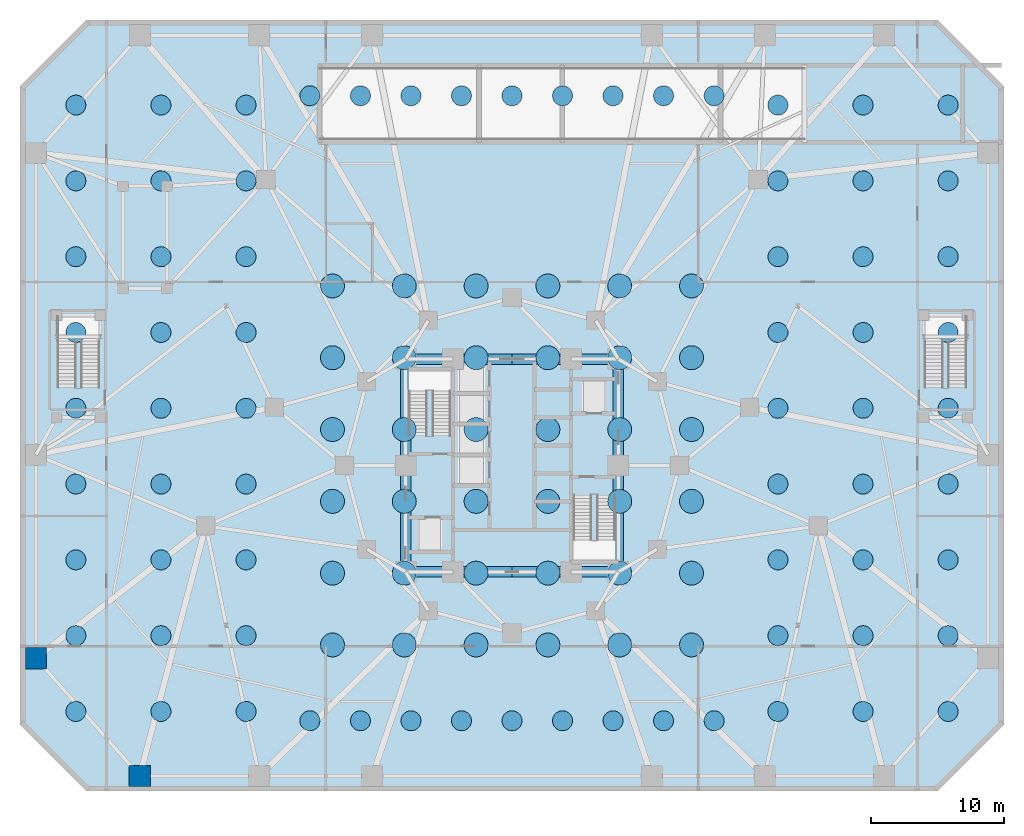
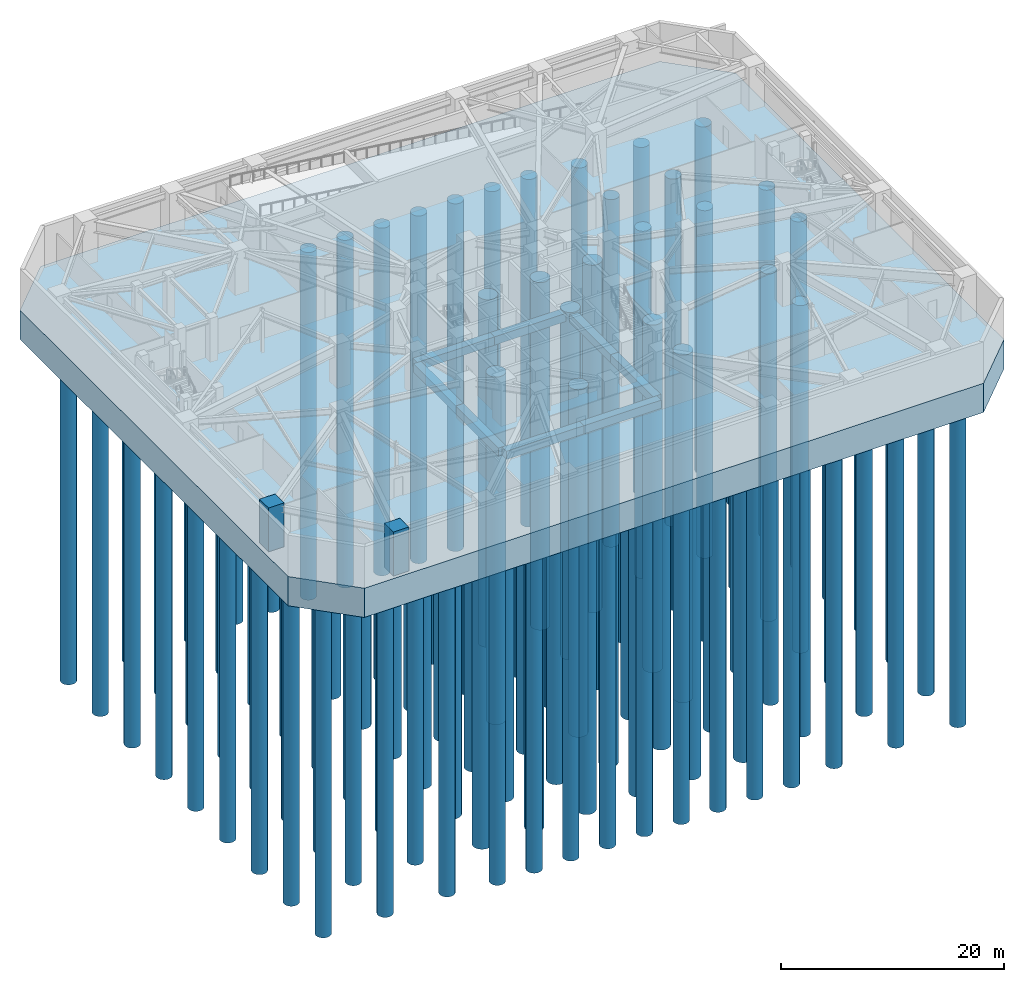
# One storey, part 1 of 20: 108 piles, 9 footings, 2 columns.
"""IFC4 building model written with IfcOpenShell, lengths in metres."""

from ifc_helpers import new_model, si_unit, direction, frame, origin, origin_2d, place, context, subcontext, project, spatial, polyline, rectangle, circle, outline, extrude, material, layer, layer_set, material_profile, profile_set, type_object, element, save


model = new_model("IFC4")

# Units and contexts
model_context = context("Model", 3, precision=1e-05, world=origin(), true_north=direction((0.0, 1.0)))
body_context = subcontext(model_context, "Body", "Model", "MODEL_VIEW")
ifc_project = project(units=[si_unit("LENGTHUNIT", "METRE"), si_unit("AREAUNIT", "SQUARE_METRE"), si_unit("VOLUMEUNIT", "CUBIC_METRE"), si_unit("PLANEANGLEUNIT", "RADIAN"), si_unit("MASSUNIT", "GRAM", prefix="KILO")], contexts=[model_context])

# Site, building, storey
site_placement = place(None, origin())
site = spatial("IfcSite", under=ifc_project, at=site_placement, CompositionType="ELEMENT")
building_placement = place(site_placement, origin())
building = spatial("IfcBuilding", under=site, at=building_placement, Name="Terralouvre Media Tower", CompositionType="ELEMENT")
storey_placement = place(building_placement, frame((0.0, 0.0, -9.60009765625)))
storey = spatial("IfcBuildingStorey", under=building, at=storey_placement, Name="B02", CompositionType="ELEMENT", Elevation=-9.60009765625)

# Footing
ifc_material_1 = material(Name="Concrete C50/60", Category="concrete")
ifc_layer = layer(ifc_material_1, 3.199951171875, Name="Monolithic Piled Raft RF-3200")
ifc_layer_set = layer_set([ifc_layer], Name="Concrete C50/60")
footing_type_1 = type_object("IfcFootingType", Name="Monolithic Piled Raft RF-3200", PredefinedType="PILE_CAP", material=ifc_layer_set)
footing_placement = place(storey_placement, frame((0.0, 0.0, -3.199951171875)))
element("IfcFooting", 1, at=footing_placement, inside=storey, type_object=footing_type_1, Name="Monolithic Piled Raft Foundation RF-01", PredefinedType="PILE_CAP", context=body_context, shape_type="SweptSolid", body=[
    extrude(outline(polyline([(-32.0, -24.5), (32.0, -24.5), (37.0, -19.5), (37.0, 28.5), (32.0, 33.5), (-32.0, 33.5), (-37.0, 28.5), (-37.0, -19.5), (-32.0, -24.5)])), origin(), (0.0, 0.0, 1.0), 3.199951171875),
])

# Piles
ifc_material_2 = material(Name="Concrete C45/55", Category="concrete")
ifc_material_profile_1 = material_profile(ifc_material_2, circle(Radius=0.75, at=origin_2d()), Name="BORED PILE 1500")
ifc_profile_set_1 = profile_set([ifc_material_profile_1], Name="Concrete C45/55")
pile_type_1 = type_object("IfcPileType", Name="Rock-Socketed Bored Pile BP-1500", PredefinedType="BORED", material=ifc_profile_set_1)
for number, where, z_axis, x_axis, name in (
    (2, (-32.800048828125, -18.5, -3.0498046875), (0.0, 0.0, -1.0), (1.0, 0.0, 0.0), "Podium Bored Pile BP-15-001"),
    (3, (-32.800048828125, -12.800048828125, -3.0498046875), (0.0, 0.0, -1.0), (1.0, 0.0, 0.0), "Podium Bored Pile BP-15-002"),
    (4, (-32.800048828125, -7.10009765625, -3.0498046875), (0.0, 0.0, -1.0), (1.0, 0.0, 0.0), "Podium Bored Pile BP-15-003"),
    (5, (-32.800048828125, -1.39990234375, -3.0498046875), (0.0, 0.0, -1.0), (1.0, 0.0, 0.0), "Podium Bored Pile BP-15-004"),
    (6, (-32.800048828125, 4.300048828125, -3.0498046875), (0.0, 0.0, -1.0), (1.0, 0.0, 0.0), "Podium Bored Pile BP-15-005"),
    (7, (-32.800048828125, 10.0, -3.0498046875), (0.0, 0.0, -1.0), (1.0, 0.0, 0.0), "Podium Bored Pile BP-15-006"),
    (8, (-32.800048828125, 15.699951171875, -3.0498046875), (0.0, 0.0, -1.0), (1.0, 0.0, 0.0), "Podium Bored Pile BP-15-007"),
    (9, (-32.800048828125, 21.39990234375, -3.0498046875), (0.0, 0.0, -1.0), (1.0, 0.0, 0.0), "Podium Bored Pile BP-15-008"),
    (10, (-32.800048828125, 27.10009765625, -3.0498046875), (0.0, 0.0, -1.0), (1.0, 0.0, 0.0), "Podium Bored Pile BP-15-009"),
    (11, (-26.39990234375, -18.5, -3.0498046875), (0.0, 0.0, -1.0), (1.0, 0.0, 0.0), "Podium Bored Pile BP-15-010"),
    (12, (-26.39990234375, -12.800048828125, -3.0498046875), (0.0, 0.0, -1.0), (1.0, 0.0, 0.0), "Podium Bored Pile BP-15-011"),
    (13, (-26.39990234375, -7.10009765625, -3.0498046875), (0.0, 0.0, -1.0), (1.0, 0.0, 0.0), "Podium Bored Pile BP-15-012"),
    (14, (-26.39990234375, -1.39990234375, -3.0498046875), (0.0, 0.0, -1.0), (1.0, 0.0, 0.0), "Podium Bored Pile BP-15-013"),
    (15, (-26.39990234375, 4.300048828125, -3.0498046875), (0.0, 0.0, -1.0), (1.0, 0.0, 0.0), "Podium Bored Pile BP-15-014"),
    (16, (-26.39990234375, 10.0, -3.0498046875), (0.0, 0.0, -1.0), (1.0, 0.0, 0.0), "Podium Bored Pile BP-15-015"),
    (17, (-26.39990234375, 15.699951171875, -3.0498046875), (0.0, 0.0, -1.0), (1.0, 0.0, 0.0), "Podium Bored Pile BP-15-016"),
    (18, (-26.39990234375, 21.39990234375, -3.0498046875), (0.0, 0.0, -1.0), (1.0, 0.0, 0.0), "Podium Bored Pile BP-15-017"),
    (19, (-26.39990234375, 27.10009765625, -3.0498046875), (0.0, 0.0, -1.0), (1.0, 0.0, 0.0), "Podium Bored Pile BP-15-018"),
    (20, (-20.0, -18.5, -3.0498046875), (0.0, 0.0, -1.0), (1.0, 0.0, 0.0), "Podium Bored Pile BP-15-019"),
    (21, (-20.0, -12.800048828125, -3.0498046875), (0.0, 0.0, -1.0), (1.0, 0.0, 0.0), "Podium Bored Pile BP-15-020"),
    (22, (-20.0, -7.10009765625, -3.0498046875), (0.0, 0.0, -1.0), (1.0, 0.0, 0.0), "Podium Bored Pile BP-15-021"),
    (23, (-20.0, -1.39990234375, -3.0498046875), (0.0, 0.0, -1.0), (1.0, 0.0, 0.0), "Podium Bored Pile BP-15-022"),
    (24, (-20.0, 4.300048828125, -3.0498046875), (0.0, 0.0, -1.0), (1.0, 0.0, 0.0), "Podium Bored Pile BP-15-023"),
    (25, (-20.0, 10.0, -3.0498046875), (0.0, 0.0, -1.0), (1.0, 0.0, 0.0), "Podium Bored Pile BP-15-024"),
    (26, (-20.0, 15.699951171875, -3.0498046875), (0.0, 0.0, -1.0), (1.0, 0.0, 0.0), "Podium Bored Pile BP-15-025"),
    (27, (-20.0, 21.39990234375, -3.0498046875), (0.0, 0.0, -1.0), (1.0, 0.0, 0.0), "Podium Bored Pile BP-15-026"),
    (28, (-20.0, 27.10009765625, -3.0498046875), (0.0, 0.0, -1.0), (1.0, 0.0, 0.0), "Podium Bored Pile BP-15-027"),
    (29, (20.0, -18.5, -3.0498046875), (0.0, 0.0, -1.0), (1.0, 0.0, 0.0), "Podium Bored Pile BP-15-028"),
    (30, (20.0, -12.800048828125, -3.0498046875), (0.0, 0.0, -1.0), (1.0, 0.0, 0.0), "Podium Bored Pile BP-15-029"),
    (31, (20.0, -7.10009765625, -3.0498046875), (0.0, 0.0, -1.0), (1.0, 0.0, 0.0), "Podium Bored Pile BP-15-030"),
    (32, (20.0, -1.39990234375, -3.0498046875), (0.0, 0.0, -1.0), (1.0, 0.0, 0.0), "Podium Bored Pile BP-15-031"),
    (33, (20.0, 4.300048828125, -3.0498046875), (0.0, 0.0, -1.0), (1.0, 0.0, 0.0), "Podium Bored Pile BP-15-032"),
    (34, (20.0, 10.0, -3.0498046875), (0.0, 0.0, -1.0), (1.0, 0.0, 0.0), "Podium Bored Pile BP-15-033"),
    (35, (20.0, 15.699951171875, -3.0498046875), (0.0, 0.0, -1.0), (1.0, 0.0, 0.0), "Podium Bored Pile BP-15-034"),
    (36, (20.0, 21.39990234375, -3.0498046875), (0.0, 0.0, -1.0), (1.0, 0.0, 0.0), "Podium Bored Pile BP-15-035"),
    (37, (20.0, 27.10009765625, -3.0498046875), (0.0, 0.0, -1.0), (1.0, 0.0, 0.0), "Podium Bored Pile BP-15-036"),
    (38, (26.39990234375, -18.5, -3.0498046875), (0.0, 0.0, -1.0), (1.0, 0.0, 0.0), "Podium Bored Pile BP-15-037"),
    (39, (26.39990234375, -12.800048828125, -3.0498046875), (0.0, 0.0, -1.0), (1.0, 0.0, 0.0), "Podium Bored Pile BP-15-038"),
    (40, (26.39990234375, -7.10009765625, -3.0498046875), (0.0, 0.0, -1.0), (1.0, 0.0, 0.0), "Podium Bored Pile BP-15-039"),
    (41, (26.39990234375, -1.39990234375, -3.0498046875), (0.0, 0.0, -1.0), (1.0, 0.0, 0.0), "Podium Bored Pile BP-15-040"),
    (42, (26.39990234375, 4.300048828125, -3.0498046875), (0.0, 0.0, -1.0), (1.0, 0.0, 0.0), "Podium Bored Pile BP-15-041"),
    (43, (26.39990234375, 10.0, -3.0498046875), (0.0, 0.0, -1.0), (1.0, 0.0, 0.0), "Podium Bored Pile BP-15-042"),
    (44, (26.39990234375, 15.699951171875, -3.0498046875), (0.0, 0.0, -1.0), (1.0, 0.0, 0.0), "Podium Bored Pile BP-15-043"),
    (45, (26.39990234375, 21.39990234375, -3.0498046875), (0.0, 0.0, -1.0), (1.0, 0.0, 0.0), "Podium Bored Pile BP-15-044"),
    (46, (26.39990234375, 27.10009765625, -3.0498046875), (0.0, 0.0, -1.0), (1.0, 0.0, 0.0), "Podium Bored Pile BP-15-045"),
    (47, (32.800048828125, -18.5, -3.0498046875), (0.0, 0.0, -1.0), (1.0, 0.0, 0.0), "Podium Bored Pile BP-15-046"),
    (48, (32.800048828125, -12.800048828125, -3.0498046875), (0.0, 0.0, -1.0), (1.0, 0.0, 0.0), "Podium Bored Pile BP-15-047"),
    (49, (32.800048828125, -7.10009765625, -3.0498046875), (0.0, 0.0, -1.0), (1.0, 0.0, 0.0), "Podium Bored Pile BP-15-048"),
    (50, (32.800048828125, -1.39990234375, -3.0498046875), (0.0, 0.0, -1.0), (1.0, 0.0, 0.0), "Podium Bored Pile BP-15-049"),
    (51, (32.800048828125, 4.300048828125, -3.0498046875), (0.0, 0.0, -1.0), (1.0, 0.0, 0.0), "Podium Bored Pile BP-15-050"),
    (52, (32.800048828125, 10.0, -3.0498046875), (0.0, 0.0, -1.0), (1.0, 0.0, 0.0), "Podium Bored Pile BP-15-051"),
    (53, (32.800048828125, 15.699951171875, -3.0498046875), (0.0, 0.0, -1.0), (1.0, 0.0, 0.0), "Podium Bored Pile BP-15-052"),
    (54, (32.800048828125, 21.39990234375, -3.0498046875), (0.0, 0.0, -1.0), (1.0, 0.0, 0.0), "Podium Bored Pile BP-15-053"),
    (55, (32.800048828125, 27.10009765625, -3.0498046875), (0.0, 0.0, -1.0), (1.0, 0.0, 0.0), "Podium Bored Pile BP-15-054"),
    (56, (-15.199951171875, -19.199951171875, -3.0498046875), (0.0, 0.0, -1.0), (1.0, 0.0, 0.0), "Podium Bored Pile BP-15-055"),
    (57, (-11.39990234375, -19.199951171875, -3.0498046875), (0.0, 0.0, -1.0), (1.0, 0.0, 0.0), "Podium Bored Pile BP-15-056"),
    (58, (-7.60009765625, -19.199951171875, -3.0498046875), (0.0, 0.0, -1.0), (1.0, 0.0, 0.0), "Podium Bored Pile BP-15-057"),
    (59, (-3.800048828125, -19.199951171875, -3.0498046875), (0.0, 0.0, -1.0), (1.0, 0.0, 0.0), "Podium Bored Pile BP-15-058"),
    (60, (0.0, -19.199951171875, -3.0498046875), (0.0, 0.0, -1.0), (1.0, 0.0, 0.0), "Podium Bored Pile BP-15-059"),
    (61, (3.800048828125, -19.199951171875, -3.0498046875), (0.0, 0.0, -1.0), (1.0, 0.0, 0.0), "Podium Bored Pile BP-15-060"),
    (62, (7.60009765625, -19.199951171875, -3.0498046875), (0.0, 0.0, -1.0), (1.0, 0.0, 0.0), "Podium Bored Pile BP-15-061"),
    (63, (11.39990234375, -19.199951171875, -3.0498046875), (0.0, 0.0, -1.0), (1.0, 0.0, 0.0), "Podium Bored Pile BP-15-062"),
    (64, (15.199951171875, -19.199951171875, -3.0498046875), (0.0, 0.0, -1.0), (1.0, 0.0, 0.0), "Podium Bored Pile BP-15-063"),
    (65, (-15.199951171875, 27.800048828125, -3.0498046875), (0.0, 0.0, -1.0), (1.0, 0.0, 0.0), "Podium Bored Pile BP-15-064"),
    (66, (-11.39990234375, 27.800048828125, -3.0498046875), (0.0, 0.0, -1.0), (1.0, 0.0, 0.0), "Podium Bored Pile BP-15-065"),
    (67, (-7.60009765625, 27.800048828125, -3.0498046875), (0.0, 0.0, -1.0), (1.0, 0.0, 0.0), "Podium Bored Pile BP-15-066"),
    (68, (-3.800048828125, 27.800048828125, -3.0498046875), (0.0, 0.0, -1.0), (1.0, 0.0, 0.0), "Podium Bored Pile BP-15-067"),
    (69, (0.0, 27.800048828125, -3.0498046875), (0.0, 0.0, -1.0), (1.0, 0.0, 0.0), "Podium Bored Pile BP-15-068"),
    (70, (3.800048828125, 27.800048828125, -3.0498046875), (0.0, 0.0, -1.0), (1.0, 0.0, 0.0), "Podium Bored Pile BP-15-069"),
    (71, (7.60009765625, 27.800048828125, -3.0498046875), (0.0, 0.0, -1.0), (1.0, 0.0, 0.0), "Podium Bored Pile BP-15-070"),
    (72, (11.39990234375, 27.800048828125, -3.0498046875), (0.0, 0.0, -1.0), (1.0, 0.0, 0.0), "Podium Bored Pile BP-15-071"),
    (73, (15.199951171875, 27.800048828125, -3.0498046875), (0.0, 0.0, -1.0), (1.0, 0.0, 0.0), "Podium Bored Pile BP-15-072"),
):
    element("IfcPile", number, at=place(storey_placement, frame(where, z_axis=z_axis, x_axis=x_axis)), inside=storey, type_object=pile_type_1, Name=name, PredefinedType="BORED", context=body_context, shape_type="SweptSolid", body=[
        extrude(circle(Radius=0.75, at=origin_2d()), origin(), (0.0, 0.0, 1.0), 38.0),
    ])
ifc_material_3 = material(Name="Concrete C45/55", Category="concrete")
ifc_material_profile_2 = material_profile(ifc_material_3, circle(Radius=0.89990234375, at=origin_2d()), Name="BORED PILE 1800")
ifc_profile_set_2 = profile_set([ifc_material_profile_2], Name="Concrete C45/55")
pile_type_2 = type_object("IfcPileType", Name="Rock-Socketed Bored Pile BP-1800", PredefinedType="SUPPORT", material=ifc_profile_set_2)
for number, where, z_axis, x_axis, name in (
    (74, (-13.5, -13.5, -3.0498046875), (0.0, 0.0, -1.0), (1.0, 0.0, 0.0), "Core Bored Pile BP-18-001"),
    (75, (-13.5, -8.10009765625, -3.0498046875), (0.0, 0.0, -1.0), (1.0, 0.0, 0.0), "Core Bored Pile BP-18-002"),
    (76, (-13.5, -2.699951171875, -3.0498046875), (0.0, 0.0, -1.0), (1.0, 0.0, 0.0), "Core Bored Pile BP-18-003"),
    (77, (-13.5, 2.699951171875, -3.0498046875), (0.0, 0.0, -1.0), (1.0, 0.0, 0.0), "Core Bored Pile BP-18-004"),
    (78, (-13.5, 8.10009765625, -3.0498046875), (0.0, 0.0, -1.0), (1.0, 0.0, 0.0), "Core Bored Pile BP-18-005"),
    (79, (-13.5, 13.5, -3.0498046875), (0.0, 0.0, -1.0), (1.0, 0.0, 0.0), "Core Bored Pile BP-18-006"),
    (80, (-8.10009765625, -13.5, -3.0498046875), (0.0, 0.0, -1.0), (1.0, 0.0, 0.0), "Core Bored Pile BP-18-007"),
    (81, (-8.10009765625, -8.10009765625, -3.0498046875), (0.0, 0.0, -1.0), (1.0, 0.0, 0.0), "Core Bored Pile BP-18-008"),
    (82, (-8.10009765625, -2.699951171875, -3.0498046875), (0.0, 0.0, -1.0), (1.0, 0.0, 0.0), "Core Bored Pile BP-18-009"),
    (83, (-8.10009765625, 2.699951171875, -3.0498046875), (0.0, 0.0, -1.0), (1.0, 0.0, 0.0), "Core Bored Pile BP-18-010"),
    (84, (-8.10009765625, 8.10009765625, -3.0498046875), (0.0, 0.0, -1.0), (1.0, 0.0, 0.0), "Core Bored Pile BP-18-011"),
    (85, (-8.10009765625, 13.5, -3.0498046875), (0.0, 0.0, -1.0), (1.0, 0.0, 0.0), "Core Bored Pile BP-18-012"),
    (86, (-2.699951171875, -13.5, -3.0498046875), (0.0, 0.0, -1.0), (1.0, 0.0, 0.0), "Core Bored Pile BP-18-013"),
    (87, (-2.699951171875, -8.10009765625, -3.0498046875), (0.0, 0.0, -1.0), (1.0, 0.0, 0.0), "Core Bored Pile BP-18-014"),
    (88, (-2.699951171875, -2.699951171875, -3.0498046875), (0.0, 0.0, -1.0), (1.0, 0.0, 0.0), "Core Bored Pile BP-18-015"),
    (89, (-2.699951171875, 2.699951171875, -3.0498046875), (0.0, 0.0, -1.0), (1.0, 0.0, 0.0), "Core Bored Pile BP-18-016"),
    (90, (-2.699951171875, 8.10009765625, -3.0498046875), (0.0, 0.0, -1.0), (1.0, 0.0, 0.0), "Core Bored Pile BP-18-017"),
    (91, (-2.699951171875, 13.5, -3.0498046875), (0.0, 0.0, -1.0), (1.0, 0.0, 0.0), "Core Bored Pile BP-18-018"),
    (92, (2.699951171875, -13.5, -3.0498046875), (0.0, 0.0, -1.0), (1.0, 0.0, 0.0), "Core Bored Pile BP-18-019"),
    (93, (2.699951171875, -8.10009765625, -3.0498046875), (0.0, 0.0, -1.0), (1.0, 0.0, 0.0), "Core Bored Pile BP-18-020"),
    (94, (2.699951171875, -2.699951171875, -3.0498046875), (0.0, 0.0, -1.0), (1.0, 0.0, 0.0), "Core Bored Pile BP-18-021"),
    (95, (2.699951171875, 2.699951171875, -3.0498046875), (0.0, 0.0, -1.0), (1.0, 0.0, 0.0), "Core Bored Pile BP-18-022"),
    (96, (2.699951171875, 8.10009765625, -3.0498046875), (0.0, 0.0, -1.0), (1.0, 0.0, 0.0), "Core Bored Pile BP-18-023"),
    (97, (2.699951171875, 13.5, -3.0498046875), (0.0, 0.0, -1.0), (1.0, 0.0, 0.0), "Core Bored Pile BP-18-024"),
    (98, (8.10009765625, -13.5, -3.0498046875), (0.0, 0.0, -1.0), (1.0, 0.0, 0.0), "Core Bored Pile BP-18-025"),
    (99, (8.10009765625, -8.10009765625, -3.0498046875), (0.0, 0.0, -1.0), (1.0, 0.0, 0.0), "Core Bored Pile BP-18-026"),
    (100, (8.10009765625, -2.699951171875, -3.0498046875), (0.0, 0.0, -1.0), (1.0, 0.0, 0.0), "Core Bored Pile BP-18-027"),
    (101, (8.10009765625, 2.699951171875, -3.0498046875), (0.0, 0.0, -1.0), (1.0, 0.0, 0.0), "Core Bored Pile BP-18-028"),
    (102, (8.10009765625, 8.10009765625, -3.0498046875), (0.0, 0.0, -1.0), (1.0, 0.0, 0.0), "Core Bored Pile BP-18-029"),
    (103, (8.10009765625, 13.5, -3.0498046875), (0.0, 0.0, -1.0), (1.0, 0.0, 0.0), "Core Bored Pile BP-18-030"),
    (104, (13.5, -13.5, -3.0498046875), (0.0, 0.0, -1.0), (1.0, 0.0, 0.0), "Core Bored Pile BP-18-031"),
    (105, (13.5, -8.10009765625, -3.0498046875), (0.0, 0.0, -1.0), (1.0, 0.0, 0.0), "Core Bored Pile BP-18-032"),
    (106, (13.5, -2.699951171875, -3.0498046875), (0.0, 0.0, -1.0), (1.0, 0.0, 0.0), "Core Bored Pile BP-18-033"),
    (107, (13.5, 2.699951171875, -3.0498046875), (0.0, 0.0, -1.0), (1.0, 0.0, 0.0), "Core Bored Pile BP-18-034"),
    (108, (13.5, 8.10009765625, -3.0498046875), (0.0, 0.0, -1.0), (1.0, 0.0, 0.0), "Core Bored Pile BP-18-035"),
    (109, (13.5, 13.5, -3.0498046875), (0.0, 0.0, -1.0), (1.0, 0.0, 0.0), "Core Bored Pile BP-18-036"),
):
    element("IfcPile", number, at=place(storey_placement, frame(where, z_axis=z_axis, x_axis=x_axis)), inside=storey, type_object=pile_type_2, Name=name, PredefinedType="SUPPORT", context=body_context, shape_type="SweptSolid", body=[
        extrude(circle(Radius=0.89990234375, at=origin_2d()), origin(), (0.0, 0.0, 1.0), 38.0),
    ])

# Footings
ifc_material_4 = material(Name="Concrete C50/60", Category="concrete")
ifc_material_profile_3 = material_profile(ifc_material_4, rectangle(XDim=0.800048828125, YDim=0.89990234375, at=origin_2d()), Name="FB 800x900")
ifc_profile_set_3 = profile_set([ifc_material_profile_3], Name="Concrete C50/60")
footing_type_2 = type_object("IfcFootingType", Name="Sub-Raft Pit Tie Beam FB-800x900", PredefinedType="FOOTING_BEAM", material=ifc_profile_set_3)
for number, where, z_axis, x_axis, name in (
    (110, (-8.0, 8.0, -3.64990234375), (1.0, 0.0, 0.0), (0.0, 1.0, 0.0), "Core Sub-Raft Ground Beam FB-N1"),
    (111, (0.0, 8.0, -3.64990234375), (1.0, 0.0, 0.0), (0.0, 1.0, 0.0), "Core Sub-Raft Ground Beam FB-N2"),
    (112, (-8.0, -8.0, -3.64990234375), (1.0, 0.0, 0.0), (0.0, 1.0, 0.0), "Core Sub-Raft Ground Beam FB-S1"),
    (113, (0.0, -8.0, -3.64990234375), (1.0, 0.0, 0.0), (0.0, 1.0, 0.0), "Core Sub-Raft Ground Beam FB-S2"),
):
    element("IfcFooting", number, at=place(storey_placement, frame(where, z_axis=z_axis, x_axis=x_axis)), inside=storey, type_object=footing_type_2, Name=name, PredefinedType="FOOTING_BEAM", context=body_context, shape_type="SweptSolid", body=[
        extrude(rectangle(XDim=0.800048828125, YDim=0.89990234375, at=origin_2d()), origin(), (0.0, 0.0, 1.0), 8.0),
    ])
for number, where, z_axis, x_axis, name in (
    (114, (-8.0, -7.60009765625, -3.64990234375), (0.0, 1.0, 0.0), (-1.0, 0.0, 0.0), "Core Sub-Raft Ground Beam FB-W1"),
    (115, (-8.0, 0.0, -3.64990234375), (0.0, 1.0, 0.0), (-1.0, 0.0, 0.0), "Core Sub-Raft Ground Beam FB-W2"),
    (116, (8.0, -7.60009765625, -3.64990234375), (0.0, 1.0, 0.0), (-1.0, 0.0, 0.0), "Core Sub-Raft Ground Beam FB-E1"),
    (117, (8.0, 0.0, -3.64990234375), (0.0, 1.0, 0.0), (-1.0, 0.0, 0.0), "Core Sub-Raft Ground Beam FB-E2"),
):
    element("IfcFooting", number, at=place(storey_placement, frame(where, z_axis=z_axis, x_axis=x_axis)), inside=storey, type_object=footing_type_2, Name=name, PredefinedType="FOOTING_BEAM", context=body_context, shape_type="SweptSolid", body=[
        extrude(rectangle(XDim=0.800048828125, YDim=0.89990234375, at=origin_2d()), origin(), (0.0, 0.0, 1.0), 7.60009765625),
    ])

# Columns
ifc_material_5 = material(Name="Concrete C60/75", Category="concrete")
ifc_material_profile_4 = material_profile(ifc_material_5, rectangle(XDim=1.60009765625, YDim=1.60009765625, at=origin_2d()), Name="RC 1600x1600")
ifc_profile_set_4 = profile_set([ifc_material_profile_4], Name="Concrete C60/75")
column_type = type_object("IfcColumnType", Name="Structural Column C-RC1600 (RC 1600x1600)", PredefinedType="COLUMN", material=ifc_profile_set_4)
for number, where, z_axis, x_axis, name in (
    (118, (-28.0, -23.35009765625, 0.0), (0.0, 0.0, 1.0), (1.0, 0.0, 0.0), "B02 Perimeter Mega-Column PM01"),
    (119, (-35.800048828125, -14.5, 0.0), (0.0, 0.0, 1.0), (1.0, 0.0, 0.0), "B02 Perimeter Mega-Column PM18"),
):
    element("IfcColumn", number, at=place(storey_placement, frame(where, z_axis=z_axis, x_axis=x_axis)), inside=storey, type_object=column_type, Name=name, PredefinedType="COLUMN", context=body_context, shape_type="SweptSolid", body=[
        extrude(rectangle(XDim=1.60009765625, YDim=1.60009765625, at=origin_2d()), origin(), (0.0, 0.0, 1.0), 4.800048828125),
    ])

save(model, "model.ifc")
